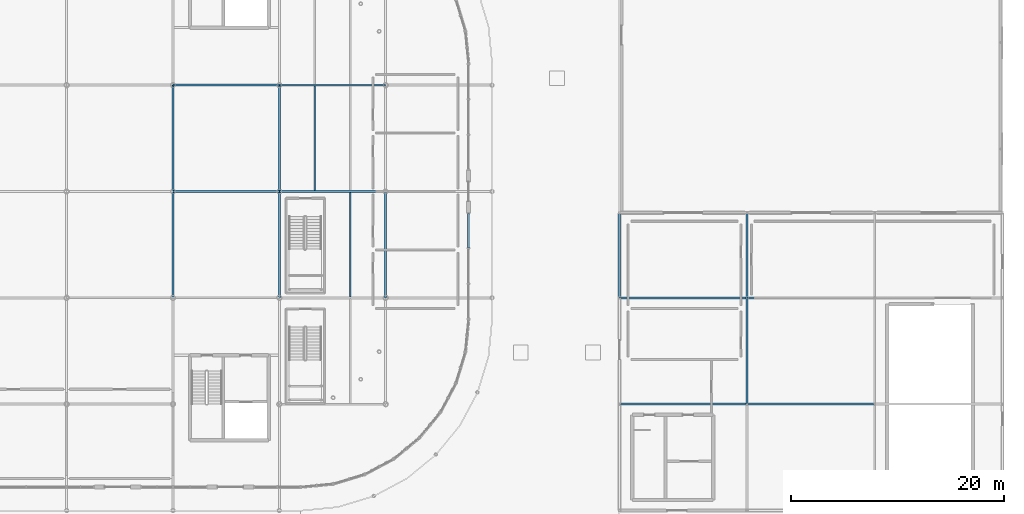
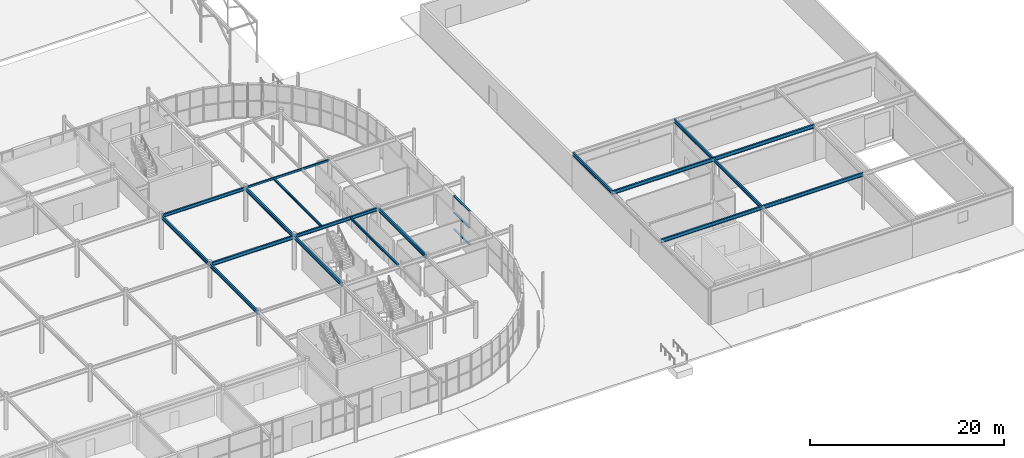
# One storey, part 67 of 119: 18 beams, 3 members, 1 element without a shape of its own.
"""IFC4 building model written with IfcOpenShell, lengths in metres."""

from ifc_helpers import new_model, si_unit, derived_unit, direction, frame, origin, origin_2d_with_axis, place, context, subcontext, project, spatial, rectangle, hollow_rectangle, i_section, extrude, material, material_profile, profile_set, type_object, element, aggregate, save


model = new_model("IFC4")

# Units and contexts
model_context = context("Model", 3, precision=1e-05, world=origin(), true_north=direction((0.0, 1.0)))
body_context = subcontext(model_context, "Body", "Model", "MODEL_VIEW")
ifc_project = project(units=[si_unit("LENGTHUNIT", "METRE"), si_unit("AREAUNIT", "SQUARE_METRE"), si_unit("VOLUMEUNIT", "CUBIC_METRE"), si_unit("PLANEANGLEUNIT", "RADIAN"), si_unit("MASSUNIT", "GRAM", prefix="KILO"), derived_unit("THERMALTRANSMITTANCEUNIT", [(si_unit("POWERUNIT", "WATT"), 1), (si_unit("LENGTHUNIT", "METRE"), -2), (si_unit("THERMODYNAMICTEMPERATUREUNIT", "KELVIN"), -1)])], contexts=[model_context])

# Site, building, storey
site_placement = place(None, origin())
site = spatial("IfcSite", under=ifc_project, at=site_placement, CompositionType="ELEMENT")
building_placement = place(site_placement, origin())
building = spatial("IfcBuilding", under=site, at=building_placement, Name="Cinnabar Yard Market Hall", CompositionType="ELEMENT")
storey_placement = place(building_placement, origin())
storey = spatial("IfcBuildingStorey", under=building, at=storey_placement, Name="L00", CompositionType="ELEMENT", Elevation=0.0)

# Beams
ifc_material_1 = material(Name="Steel Grade 300 (300 MPa)", Category="steel")
ifc_material_profile_1 = material_profile(ifc_material_1, i_section(OverallWidth=0.18994140625, OverallDepth=0.453857421875, WebThickness=0.008544921875, FlangeThickness=0.0126953125, FilletRadius=0.011474609375, at=origin_2d_with_axis()), Name="460UB67.1")
ifc_profile_set_1 = profile_set([ifc_material_profile_1], Name="Steel Grade 300 (300 MPa)")
beam_type_1 = type_object("IfcBeamType", Name="BM-B05", PredefinedType="BEAM", material=ifc_profile_set_1)
for number, where, z_axis, x_axis, name in (
    (1, (136.0, 34.0, 4.01318359375), (0.0, 1.0, 0.0), (-1.0, 0.0, 0.0), "L00 Gallery Girder Y 00234"),
    (2, (136.0, 44.0, 4.01318359375), (0.0, 1.0, 0.0), (-1.0, 0.0, 0.0), "L00 Gallery Girder Y 00235"),
    (3, (146.0, 34.0, 4.01318359375), (0.0, 1.0, 0.0), (-1.0, 0.0, 0.0), "L00 Gallery Girder Y 00239"),
    (4, (146.0, 44.0, 4.01318359375), (0.0, 1.0, 0.0), (-1.0, 0.0, 0.0), "L00 Gallery Girder Y 00241"),
    (5, (156.0, 34.0, 4.01318359375), (0.0, 1.0, 0.0), (-1.0, 0.0, 0.0), "L00 Gallery Girder Y 00248"),
):
    element("IfcBeam", number, at=place(storey_placement, frame(where, z_axis=z_axis, x_axis=x_axis)), inside=storey, type_object=beam_type_1, Name=name, PredefinedType="BEAM", context=body_context, shape_type="SweptSolid", body=[
        extrude(i_section(OverallWidth=0.18994140625, OverallDepth=0.453857421875, WebThickness=0.008544921875, FlangeThickness=0.0126953125, FilletRadius=0.011474609375, at=origin_2d_with_axis()), origin(), (0.0, 0.0, 1.0), 10.0),
    ])
for number, where, z_axis, x_axis, name in (
    (6, (178.0, 24.0, 4.403076171875), (1.0, 0.0, 0.0), (0.0, 1.0, 0.0), "V4 Dock Roof Girder X 01492"),
    (7, (178.0, 34.0, 4.403076171875), (1.0, 0.0, 0.0), (0.0, 1.0, 0.0), "V4 Dock Roof Girder X 01493"),
    (8, (190.0, 24.0, 4.403076171875), (1.0, 0.0, 0.0), (0.0, 1.0, 0.0), "V4 Dock Roof Girder X 01504"),
    (9, (190.0, 34.0, 4.403076171875), (1.0, 0.0, 0.0), (0.0, 1.0, 0.0), "V4 Dock Roof Girder X 01505"),
):
    element("IfcBeam", number, at=place(storey_placement, frame(where, z_axis=z_axis, x_axis=x_axis)), inside=storey, type_object=beam_type_1, Name=name, PredefinedType="BEAM", context=body_context, shape_type="SweptSolid", body=[
        extrude(i_section(OverallWidth=0.18994140625, OverallDepth=0.453857421875, WebThickness=0.008544921875, FlangeThickness=0.0126953125, FilletRadius=0.011474609375, at=origin_2d_with_axis()), origin(), (0.0, 0.0, 1.0), 12.0),
    ])
ifc_material_profile_2 = material_profile(ifc_material_1, i_section(OverallWidth=0.177978515625, OverallDepth=0.406494140625, WebThickness=0.0078125, FlangeThickness=0.0126953125, FilletRadius=0.011474609375, at=origin_2d_with_axis()), Name="410UB59.7")
ifc_profile_set_2 = profile_set([ifc_material_profile_2], Name="Steel Grade 300 (300 MPa)")
beam_type_2 = type_object("IfcBeamType", Name="BM-B06", PredefinedType="BEAM", material=ifc_profile_set_2)
beam_1_placement = place(storey_placement, frame((190.0, 24.0, 4.4267578125), z_axis=(0.0, 1.0, 0.0), x_axis=(-1.0, 0.0, 0.0)))
element("IfcBeam", 10, at=beam_1_placement, inside=storey, type_object=beam_type_2, Name="V4 Dock Roof Girder Y 01532", PredefinedType="BEAM", context=body_context, shape_type="SweptSolid", body=[
    extrude(i_section(OverallWidth=0.177978515625, OverallDepth=0.406494140625, WebThickness=0.0078125, FlangeThickness=0.0126953125, FilletRadius=0.011474609375, at=origin_2d_with_axis()), origin(), (0.0, 0.0, 1.0), 10.0),
])
beam_2_placement = place(storey_placement, frame((190.0, 34.0, 4.4267578125), z_axis=(0.0, 1.0, 0.0), x_axis=(-1.0, 0.0, 0.0)))
element("IfcBeam", 11, at=beam_2_placement, inside=storey, type_object=beam_type_2, Name="V4 Dock Roof Girder Y 01534", PredefinedType="BEAM", context=body_context, shape_type="SweptSolid", body=[
    extrude(i_section(OverallWidth=0.177978515625, OverallDepth=0.406494140625, WebThickness=0.0078125, FlangeThickness=0.0126953125, FilletRadius=0.011474609375, at=origin_2d_with_axis()), origin(), (0.0, 0.0, 1.0), 8.0),
])
ifc_material_profile_3 = material_profile(ifc_material_1, i_section(OverallWidth=0.177978515625, OverallDepth=0.406494140625, WebThickness=0.0078125, FlangeThickness=0.0126953125, FilletRadius=0.011474609375, at=origin_2d_with_axis()), Name="410UB59.7")
ifc_profile_set_3 = profile_set([ifc_material_profile_3], Name="Steel Grade 300 (300 MPa)")
beam_type_3 = type_object("IfcBeamType", Name="BM-B06E", PredefinedType="BEAM", material=ifc_profile_set_3)
beam_3_placement = place(storey_placement, frame((178.0, 34.0, 4.4267578125), z_axis=(0.0, 1.0, 0.0), x_axis=(-1.0, 0.0, 0.0)))
element("IfcBeam", 12, at=beam_3_placement, inside=storey, type_object=beam_type_3, Name="V4 Dock Roof Girder Y 01525", PredefinedType="BEAM", context=body_context, shape_type="SweptSolid", body=[
    extrude(i_section(OverallWidth=0.177978515625, OverallDepth=0.406494140625, WebThickness=0.0078125, FlangeThickness=0.0126953125, FilletRadius=0.011474609375, at=origin_2d_with_axis()), origin(), (0.0, 0.0, 1.0), 8.0),
])
ifc_material_profile_4 = material_profile(ifc_material_1, i_section(OverallWidth=0.18994140625, OverallDepth=0.453857421875, WebThickness=0.008544921875, FlangeThickness=0.0126953125, FilletRadius=0.011474609375, at=origin_2d_with_axis()), Name="460UB67.1")
ifc_profile_set_4 = profile_set([ifc_material_profile_4], Name="Steel Grade 300 (300 MPa)")
beam_type_4 = type_object("IfcBeamType", Name="BM-B14", PredefinedType="BEAM", material=ifc_profile_set_4)
beam_4_placement = place(storey_placement, frame((136.0, 44.0, 4.01318359375), z_axis=(1.0, 0.0, 0.0), x_axis=(0.0, 1.0, 0.0)))
element("IfcBeam", 13, at=beam_4_placement, inside=storey, type_object=beam_type_4, Name="L00 Gallery Girder X 00175", PredefinedType="BEAM", context=body_context, shape_type="SweptSolid", body=[
    extrude(i_section(OverallWidth=0.18994140625, OverallDepth=0.453857421875, WebThickness=0.008544921875, FlangeThickness=0.0126953125, FilletRadius=0.011474609375, at=origin_2d_with_axis()), origin(), (0.0, 0.0, 1.0), 10.0),
])
ifc_material_profile_5 = material_profile(ifc_material_1, i_section(OverallWidth=0.177978515625, OverallDepth=0.402587890625, WebThickness=0.007568359375, FlangeThickness=0.010986328125, FilletRadius=0.011474609375, at=origin_2d_with_axis()), Name="410UB53.7")
ifc_profile_set_5 = profile_set([ifc_material_profile_5], Name="Steel Grade 300 (300 MPa)")
beam_type_5 = type_object("IfcBeamType", Name="BM-B15", PredefinedType="BEAM", material=ifc_profile_set_5)
for number, where, z_axis, x_axis, name in (
    (14, (136.0, 54.0, 4.038818359375), (1.0, 0.0, 0.0), (0.0, 1.0, 0.0), "L00 Gallery Girder X 00176"),
    (15, (146.0, 44.0, 4.038818359375), (1.0, 0.0, 0.0), (0.0, 1.0, 0.0), "L00 Gallery Girder X 00179"),
):
    element("IfcBeam", number, at=place(storey_placement, frame(where, z_axis=z_axis, x_axis=x_axis)), inside=storey, type_object=beam_type_5, Name=name, PredefinedType="BEAM", context=body_context, shape_type="SweptSolid", body=[
        extrude(i_section(OverallWidth=0.177978515625, OverallDepth=0.402587890625, WebThickness=0.007568359375, FlangeThickness=0.010986328125, FilletRadius=0.011474609375, at=origin_2d_with_axis()), origin(), (0.0, 0.0, 1.0), 10.0),
    ])
ifc_material_profile_6 = material_profile(ifc_material_1, i_section(OverallWidth=0.14892578125, OverallDepth=0.298095703125, WebThickness=0.005615234375, FlangeThickness=0.008056640625, FilletRadius=0.0087890625, at=origin_2d_with_axis()), Name="310UB32.0")
ifc_profile_set_6 = profile_set([ifc_material_profile_6], Name="Steel Grade 300 (300 MPa)")
beam_type_6 = type_object("IfcBeamType", Name="BM-J02", PredefinedType="JOIST", material=ifc_profile_set_6)
for number, where, z_axis, x_axis, name in (
    (16, (152.669921875, 34.074951171875, 4.091064453125), (0.0, 1.0, 0.0), (-1.0, 0.0, 0.0), "L00 Gallery Joist 00240"),
    (17, (149.330078125, 44.074951171875, 4.091064453125), (0.0, 1.0, 0.0), (-1.0, 0.0, 0.0), "L00 Gallery Joist 00242"),
):
    element("IfcBeam", number, at=place(storey_placement, frame(where, z_axis=z_axis, x_axis=x_axis)), inside=storey, type_object=beam_type_6, Name=name, PredefinedType="JOIST", context=body_context, shape_type="SweptSolid", body=[
        extrude(i_section(OverallWidth=0.14892578125, OverallDepth=0.298095703125, WebThickness=0.005615234375, FlangeThickness=0.008056640625, FilletRadius=0.0087890625, at=origin_2d_with_axis()), origin(), (0.0, 0.0, 1.0), 9.85009765625),
    ])
ifc_material_2 = material(Name="Cold-formed steel C350L0", Category="steel")
ifc_material_profile_7 = material_profile(ifc_material_2, hollow_rectangle(XDim=0.14990234375, YDim=0.25, WallThickness=0.006103515625, InnerFilletRadius=0.006103515625, OuterFilletRadius=0.011962890625, at=origin_2d_with_axis()), Name="250x150x6.0RHS")
ifc_profile_set_7 = profile_set([ifc_material_profile_7], Name="Cold-formed steel C350L0")
beam_type_7 = type_object("IfcBeamType", Name="BM-SP03", PredefinedType="SPANDREL", material=ifc_profile_set_7)
beam_5_placement = place(storey_placement, frame((146.0, 54.0, 4.114990234375), z_axis=(1.0, 0.0, 0.0), x_axis=(0.0, 1.0, 0.0)))
element("IfcBeam", 18, at=beam_5_placement, inside=storey, type_object=beam_type_7, Name="L00 Gallery Girder X 00180", PredefinedType="SPANDREL", context=body_context, shape_type="SweptSolid", body=[
    extrude(hollow_rectangle(XDim=0.14990234375, YDim=0.25, WallThickness=0.006103515625, InnerFilletRadius=0.006103515625, OuterFilletRadius=0.011962890625, at=origin_2d_with_axis()), origin(), (0.0, 0.0, 1.0), 10.0),
])

# Curtain wall, members
ifc_material_3 = material(Name="Anodised bronze aluminium and low-E glass", Category="aluminium")
curtain_wall_type = type_object("IfcCurtainWallType", Name="CW-CWH100x42", PredefinedType="NOTDEFINED", material=ifc_material_3)
curtain_wall_placement = place(storey_placement, origin())
curtain_wall = element("IfcCurtainWall", 19, at=curtain_wall_placement, inside=storey, type_object=curtain_wall_type, Name="Market Hall East Ground Glazing W1", PredefinedType="NOTDEFINED")
ifc_material_4 = material(Name="Anodised bronze aluminium", Category="aluminium")
ifc_material_profile_8 = material_profile(ifc_material_4, rectangle(XDim=0.219970703125, YDim=0.080078125, at=origin_2d_with_axis()), Name="TRN-CWH")
ifc_profile_set_8 = profile_set([ifc_material_profile_8], Name="Anodised bronze aluminium")
member_type = type_object("IfcMemberType", Name="CWT-CWH", PredefinedType="USERDEFINED", material=ifc_profile_set_8)
member_1_placement = place(storey_placement, frame((163.800048828125, 38.706787109375, 0.0400390625), z_axis=(0.0, 1.0, 0.0), x_axis=(-1.0, 0.0, 0.0)))
member_1 = element("IfcMember", 20, at=member_1_placement, type_object=member_type, Name="CWH100x42 transom 3.1", ObjectType="TRANSOM", PredefinedType="USERDEFINED", context=body_context, shape_type="SweptSolid", body=[
    extrude(rectangle(XDim=0.219970703125, YDim=0.080078125, at=origin_2d_with_axis()), origin(), (0.0, 0.0, 1.0), 3.213134765625),
])
member_2_placement = place(storey_placement, frame((163.800048828125, 38.706787109375, 2.1201171875), z_axis=(0.0, 1.0, 0.0), x_axis=(-1.0, 0.0, 0.0)))
member_2 = element("IfcMember", 21, at=member_2_placement, type_object=member_type, Name="CWH100x42 transom 3.2", ObjectType="TRANSOM", PredefinedType="USERDEFINED", context=body_context, shape_type="SweptSolid", body=[
    extrude(rectangle(XDim=0.219970703125, YDim=0.080078125, at=origin_2d_with_axis()), origin(), (0.0, 0.0, 1.0), 3.213134765625),
])
member_3_placement = place(storey_placement, frame((163.800048828125, 38.706787109375, 4.199951171875), z_axis=(0.0, 1.0, 0.0), x_axis=(-1.0, 0.0, 0.0)))
member_3 = element("IfcMember", 22, at=member_3_placement, type_object=member_type, Name="CWH100x42 transom 3.3", ObjectType="TRANSOM", PredefinedType="USERDEFINED", context=body_context, shape_type="SweptSolid", body=[
    extrude(rectangle(XDim=0.219970703125, YDim=0.080078125, at=origin_2d_with_axis()), origin(), (0.0, 0.0, 1.0), 3.213134765625),
])
aggregate(curtain_wall, [member_1, member_2, member_3])

save(model, "model.ifc")
